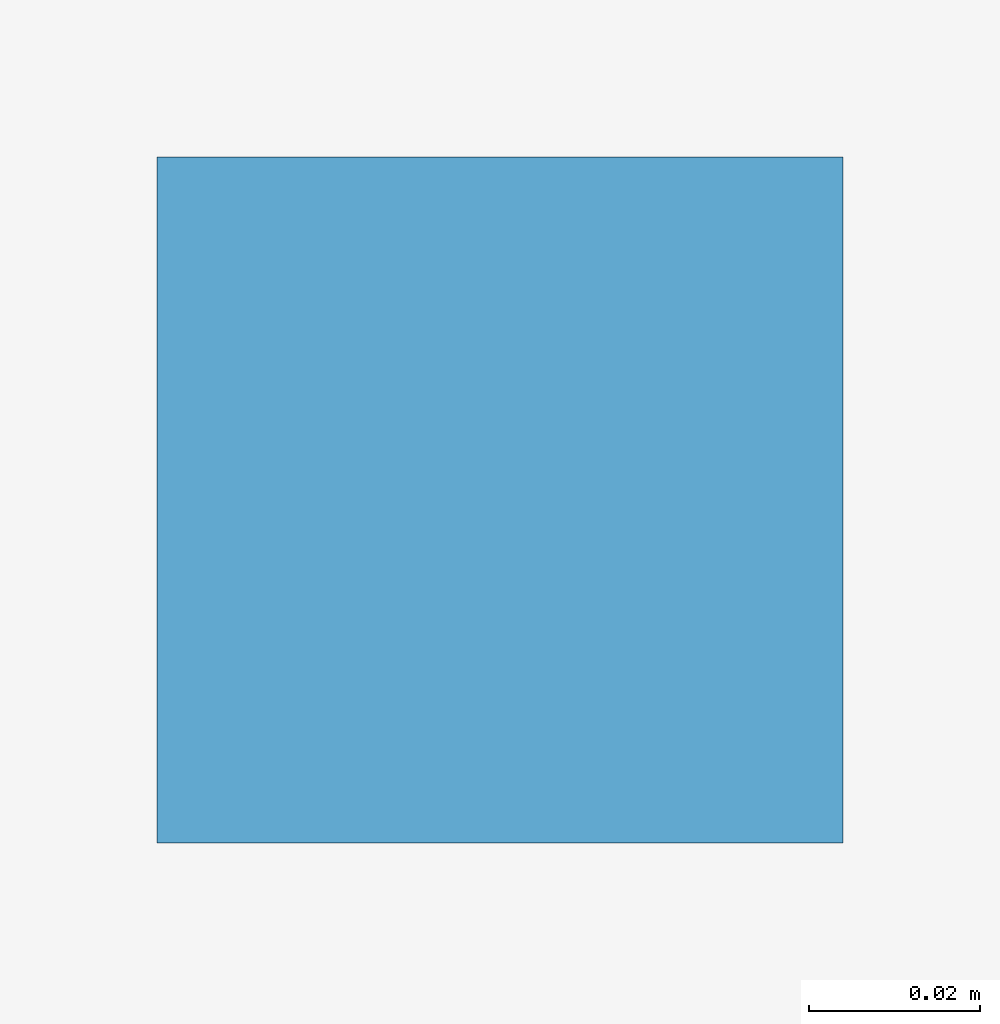
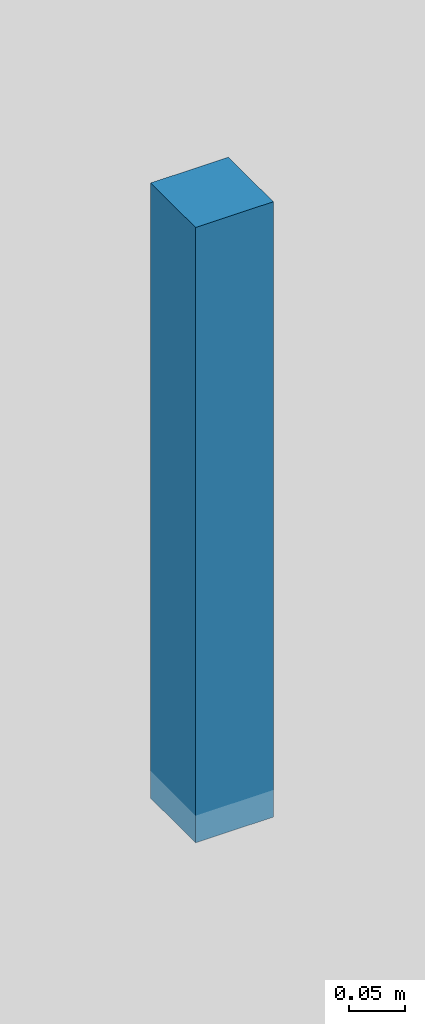
# One storey, part 11 of 16: 1 discrete accessory.
"""IFC4 building model written with IfcOpenShell, lengths in metres."""

from ifc_helpers import new_model, si_unit, direction, frame, origin, origin_2d, place, context, subcontext, project, spatial, rectangle, extrude, source, transform, mapped, material, type_object, element, save


model = new_model("IFC4")

# Units and contexts
model_context = context("Model", 3, precision=1e-05, world=origin(), true_north=direction((0.0, 1.0)))
body_context = subcontext(model_context, "Body", "Model", "MODEL_VIEW")
ifc_project = project(units=[si_unit("LENGTHUNIT", "METRE"), si_unit("AREAUNIT", "SQUARE_METRE"), si_unit("VOLUMEUNIT", "CUBIC_METRE"), si_unit("PLANEANGLEUNIT", "RADIAN"), si_unit("MASSUNIT", "GRAM", prefix="KILO")], contexts=[model_context])

# Site, building, storey
site_placement = place(None, origin())
site = spatial("IfcSite", under=ifc_project, at=site_placement, CompositionType="ELEMENT")
building_placement = place(site_placement, origin())
building = spatial("IfcBuilding", under=site, at=building_placement, Name="Giltprow Tower", CompositionType="ELEMENT")
storey_placement = place(building_placement, frame((0.0, 0.0, 199.199951171875)))
storey = spatial("IfcBuildingStorey", under=building, at=storey_placement, Name="L50", CompositionType="ELEMENT", Elevation=199.199951171875)

# Discrete accessory
ifc_material = material(Name="Structural steel Q355B", Category="steel")
discrete_accessory_type = type_object("IfcDiscreteAccessoryType", Name="ACC-CLG-HANGER", PredefinedType="BRACKET", material=ifc_material)
shared_shape = source(origin(), body_context, "Body", "SweptSolid", [
    extrude(rectangle(XDim=0.080078125, YDim=0.080078125, at=origin_2d()), origin(), (0.0, 0.0, 1.0), 0.669921875),
])
discrete_accessory_placement = place(storey_placement, frame((35.0, 35.675048828125, 2.6201171875), z_axis=(0.0, 0.0, 1.0), x_axis=(1.0, 0.0, 0.0)))
element("IfcDiscreteAccessory", 1, at=discrete_accessory_placement, inside=storey, type_object=discrete_accessory_type, Name="L50 Hotel Corridor Gypsum Ceiling Suspension Hanger", PredefinedType="BRACKET", context=body_context, shape_type="MappedRepresentation", body=[
    mapped(shared_shape, transform((0.0, 0.0, 0.0), x_axis=(1.0, 0.0, 0.0), y_axis=(0.0, 1.0, 0.0), z_axis=(0.0, 0.0, 1.0), scale=1.0)),
])

save(model, "model.ifc")
